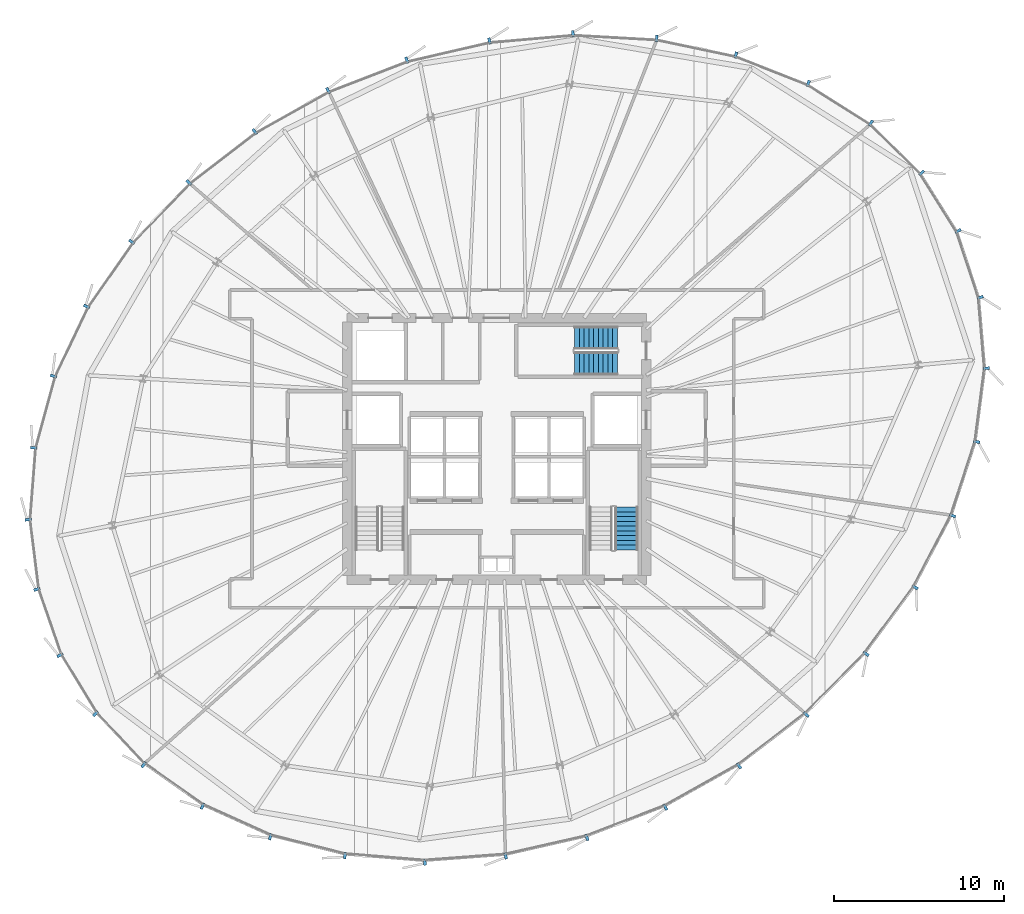
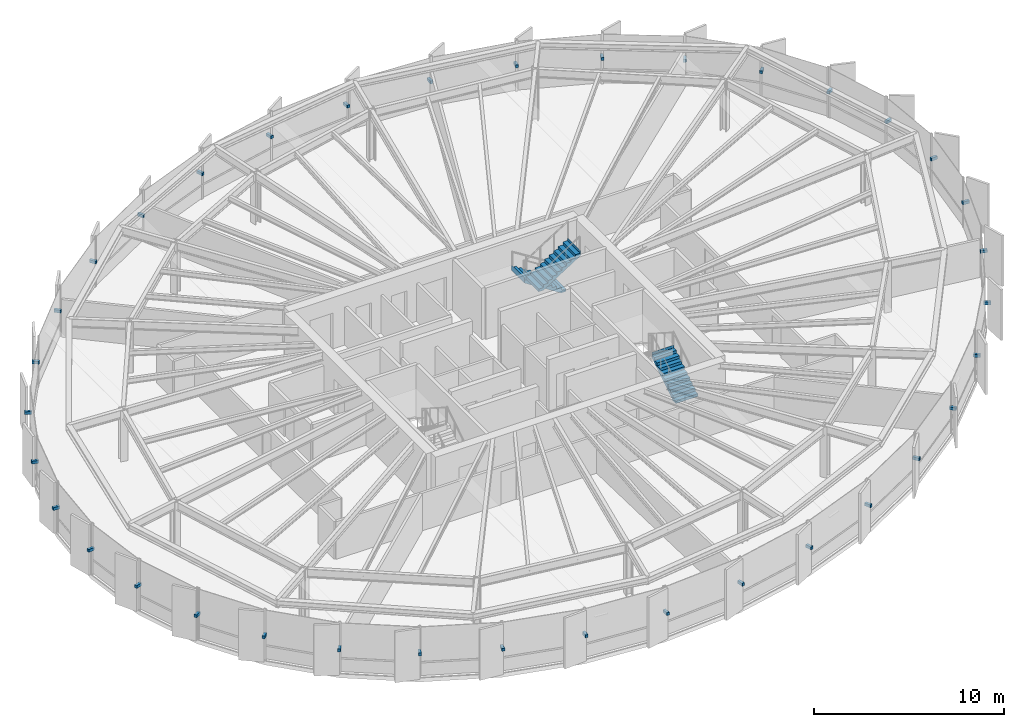
# One storey, part 31 of 35: 36 discrete accessories, 3 stair flights, 2 elements without a shape of their own.
"""IFC4 building model written with IfcOpenShell, lengths in metres."""

from ifc_helpers import new_model, si_unit, direction, frame, origin, origin_2d, place, context, subcontext, project, spatial, polyline, rectangle, outline, extrude, source, transform, mapped, material, type_object, element, aggregate, save


model = new_model("IFC4")

# Units and contexts
model_context = context("Model", 3, precision=1e-05, world=origin(), true_north=direction((0.0, 1.0)))
body_context = subcontext(model_context, "Body", "Model", "MODEL_VIEW")
ifc_project = project(units=[si_unit("LENGTHUNIT", "METRE"), si_unit("AREAUNIT", "SQUARE_METRE"), si_unit("VOLUMEUNIT", "CUBIC_METRE"), si_unit("PLANEANGLEUNIT", "RADIAN"), si_unit("MASSUNIT", "GRAM", prefix="KILO"), si_unit("THERMODYNAMICTEMPERATUREUNIT", "KELVIN")], contexts=[model_context])

# Site, building, storey
site_placement = place(None, origin())
site = spatial("IfcSite", under=ifc_project, at=site_placement, CompositionType="ELEMENT")
building_placement = place(site_placement, origin())
building = spatial("IfcBuilding", under=site, at=building_placement, Name="Kethvar Cultural Tower", CompositionType="ELEMENT")
storey_placement = place(building_placement, frame((0.0, 0.0, 135.89990234375)))
storey = spatial("IfcBuildingStorey", under=building, at=storey_placement, Name="L34", CompositionType="ELEMENT", Elevation=135.89990234375)

# Stair, stair flight
ifc_material_1 = material(Name="Concrete C40/50", Category="concrete")
stair_type = type_object("IfcStairType", Name="ST-DOGLEG-135", PredefinedType="HALF_TURN_STAIR", material=ifc_material_1)
stair_1_placement = place(storey_placement, origin())
stair_1 = element("IfcStair", 1, at=stair_1_placement, inside=storey, type_object=stair_type, Name="L34 Core Exit Stair 2", PredefinedType="HALF_TURN_STAIR")
stair_flight_type = type_object("IfcStairFlightType", Name="FL-STRAIGHT-135", PredefinedType="STRAIGHT", material=ifc_material_1)
stair_flight_1_placement = place(storey_placement, frame((54.43505859375, 21.85009765625, 0.0), z_axis=(0.0, 0.0, 1.0), x_axis=(0.0, 1.0, 0.0)))
stair_flight_1 = element("IfcStairFlight", 2, at=stair_flight_1_placement, type_object=stair_flight_type, Name="ST-02 flight 1", NumberOfRisers=10, NumberOfTreads=9, PredefinedType="STRAIGHT", RiserHeight=0.1775, TreadLength=0.28, context=body_context, shape_type="SweptSolid", body=[
    extrude(outline(polyline([(-0.0009765625, -0.0009765625), (-0.0009765625, 0.177490234375), (0.280029296875, 0.177490234375), (0.280029296875, 0.35498046875), (0.56005859375, 0.35498046875), (0.56005859375, 0.532470703125), (0.840087890625, 0.532470703125), (0.840087890625, 0.7099609375), (1.1201171875, 0.7099609375), (1.1201171875, 0.887451171875), (1.39990234375, 0.887451171875), (1.39990234375, 1.06494140625), (1.679931640625, 1.06494140625), (1.679931640625, 1.242431640625), (1.9599609375, 1.242431640625), (1.9599609375, 1.419921875), (2.239990234375, 1.419921875), (2.239990234375, 1.597412109375), (2.52001953125, 1.597412109375), (2.52001953125, 1.77490234375), (2.52099609375, 1.77490234375), (2.52099609375, 1.419921875), (0.280029296875, 0.0), (0.0, -0.0009765625), (-0.0009765625, -0.0009765625)])), frame((0.0, 0.675048828125, 0.0), z_axis=(0.0, -1.0, 0.0), x_axis=(1.0, 0.0, 0.0)), (0.0, 0.0, 1.0), 1.35009765625),
])
aggregate(stair_1, [stair_flight_1])

# Stair, stair flights
stair_2_placement = place(storey_placement, origin())
stair_2 = element("IfcStair", 3, at=stair_2_placement, inside=storey, type_object=stair_type, Name="L34 Core Exit Stair 3", PredefinedType="HALF_TURN_STAIR")
stair_flight_2_placement = place(storey_placement, frame((53.89990234375, 34.3349609375, 0.0), z_axis=(0.0, 0.0, 1.0), x_axis=(-1.0, 0.0, 0.0)))
stair_flight_2 = element("IfcStairFlight", 4, at=stair_flight_2_placement, type_object=stair_flight_type, Name="ST-03 flight 1", NumberOfRisers=10, NumberOfTreads=9, PredefinedType="STRAIGHT", RiserHeight=0.1775, TreadLength=0.28, context=body_context, shape_type="SweptSolid", body=[
    extrude(outline(polyline([(-0.0009765625, -0.0009765625), (-0.0009765625, 0.177490234375), (0.280029296875, 0.177490234375), (0.280029296875, 0.35498046875), (0.56005859375, 0.35498046875), (0.56005859375, 0.532470703125), (0.840087890625, 0.532470703125), (0.840087890625, 0.7099609375), (1.1201171875, 0.7099609375), (1.1201171875, 0.887451171875), (1.39990234375, 0.887451171875), (1.39990234375, 1.06494140625), (1.679931640625, 1.06494140625), (1.679931640625, 1.242431640625), (1.9599609375, 1.242431640625), (1.9599609375, 1.419921875), (2.239990234375, 1.419921875), (2.239990234375, 1.597412109375), (2.52001953125, 1.597412109375), (2.52001953125, 1.77490234375), (2.52099609375, 1.77490234375), (2.52099609375, 1.419921875), (0.280029296875, 0.0), (0.0, -0.0009765625), (-0.0009765625, -0.0009765625)])), frame((0.0, 0.675048828125, 0.0), z_axis=(0.0, -1.0, 0.0), x_axis=(1.0, 0.0, 0.0)), (0.0, 0.0, 1.0), 1.35009765625),
])
stair_flight_3_placement = place(storey_placement, frame((51.3798828125, 32.824951171875, 1.775146484375), z_axis=(0.0, 0.0, 1.0), x_axis=(1.0, 0.0, 0.0)))
stair_flight_3 = element("IfcStairFlight", 5, at=stair_flight_3_placement, type_object=stair_flight_type, Name="ST-03 flight 2", NumberOfRisers=10, NumberOfTreads=9, PredefinedType="STRAIGHT", RiserHeight=0.1775, TreadLength=0.28, context=body_context, shape_type="SweptSolid", body=[
    extrude(outline(polyline([(-0.0009765625, -0.0009765625), (-0.0009765625, 0.177490234375), (0.280029296875, 0.177490234375), (0.280029296875, 0.35498046875), (0.56005859375, 0.35498046875), (0.56005859375, 0.532470703125), (0.840087890625, 0.532470703125), (0.840087890625, 0.7099609375), (1.1201171875, 0.7099609375), (1.1201171875, 0.887451171875), (1.39990234375, 0.887451171875), (1.39990234375, 1.06494140625), (1.679931640625, 1.06494140625), (1.679931640625, 1.242431640625), (1.9599609375, 1.242431640625), (1.9599609375, 1.419921875), (2.239990234375, 1.419921875), (2.239990234375, 1.597412109375), (2.52001953125, 1.597412109375), (2.52001953125, 1.77490234375), (2.52099609375, 1.77490234375), (2.52099609375, 1.419921875), (0.280029296875, 0.0), (0.0, -0.0009765625), (-0.0009765625, -0.0009765625)])), frame((0.0, 0.675048828125, 0.0), z_axis=(0.0, -1.0, 0.0), x_axis=(1.0, 0.0, 0.0)), (0.0, 0.0, 1.0), 1.35009765625),
])
aggregate(stair_2, [stair_flight_2, stair_flight_3])

# Discrete accessories
ifc_material_2 = material(Name="Steel S355J2", Category="steel")
discrete_accessory_type = type_object("IfcDiscreteAccessoryType", Name="Steel Fin Bracket BRK-01", PredefinedType="BRACKET", material=ifc_material_2)
shared_shape = source(origin(), body_context, "Body", "SweptSolid", [
    extrude(rectangle(XDim=0.3798828125, YDim=0.159912109375, at=origin_2d()), origin(), (0.0, 0.0, 1.0), 0.179931640625),
])
for number, where, z_axis, x_axis, name in (
    (6, (73.94921875, 40.619384765625, 1.56005859375), (0.0, 0.0, 1.0), (0.846843565628, 0.531842058656, 0.0), "L34 Terracotta Fin Bracket 1.1"),
    (7, (71.801025390625, 44.039306640625, 1.56005859375), (0.0, 0.0, 1.0), (0.700660250228, 0.713495069184, 0.0), "L34 Terracotta Fin Bracket 1.2"),
    (8, (68.81494140625, 46.971435546875, 1.56005859375), (0.0, 0.0, 1.0), (0.534057264801, 0.845448305879, 0.0), "L34 Terracotta Fin Bracket 1.3"),
    (9, (65.123291015625, 49.303466796875, 1.56005859375), (0.0, 0.0, 1.0), (0.366338832643, 0.930481520342, 0.0), "L34 Terracotta Fin Bracket 1.4"),
    (10, (60.86767578125, 50.978515625, 1.56005859375), (0.0, 0.0, 1.0), (0.206545736898, 0.97843694665, 0.0), "L34 Terracotta Fin Bracket 1.5"),
    (11, (56.2099609375, 51.961181640625, 1.56005859375), (0.0, 0.0, 1.0), (0.055995764929, 0.998431006284, 0.0), "L34 Terracotta Fin Bracket 1.6"),
    (12, (51.28271484375, 52.232421875, 1.56005859375), (0.0, 0.0, 1.0), (-0.086981872646, 0.996209894465, 0.0), "L34 Terracotta Fin Bracket 2.1"),
    (13, (46.370361328125, 51.802978515625, 1.56005859375), (0.0, 0.0, 1.0), (-0.225461202458, 0.974252147129, 0.0), "L34 Terracotta Fin Bracket 2.2"),
    (14, (41.51123046875, 50.67822265625, 1.56005859375), (0.0, 0.0, 1.0), (-0.360159633746, 0.93289068932, 0.0), "L34 Terracotta Fin Bracket 2.3"),
    (15, (36.875732421875, 48.88818359375, 1.56005859375), (0.0, 0.0, 1.0), (-0.489382451749, 0.872069272432, 0.0), "L34 Terracotta Fin Bracket 2.4"),
    (16, (32.560302734375, 46.466064453125, 1.56005859375), (0.0, 0.0, 1.0), (-0.61000687398, 0.792396121708, 0.0), "L34 Terracotta Fin Bracket 2.5"),
    (17, (28.677001953125, 43.476806640625, 1.56005859375), (0.0, 0.0, 1.0), (-0.720793110676, 0.69315026625, 0.0), "L34 Terracotta Fin Bracket 2.6"),
    (18, (25.322265625, 39.97900390625, 1.56005859375), (0.0, 0.0, 1.0), (-0.819752242868, 0.572718307995, 0.0), "L34 Terracotta Fin Bracket 3.1"),
    (19, (22.663818359375, 36.17431640625, 1.56005859375), (0.0, 0.0, 1.0), (-0.902885617815, 0.429880868547, 0.0), "L34 Terracotta Fin Bracket 3.2"),
    (20, (20.716552734375, 32.083251953125, 1.56005859375), (0.0, 0.0, 1.0), (-0.964557418458, 0.263873049965, 0.0), "L34 Terracotta Fin Bracket 3.3"),
    (21, (19.561767578125, 27.86181640625, 1.56005859375), (0.0, 0.0, 1.0), (-0.997012445566, 0.077241073187, 0.0), "L34 Terracotta Fin Bracket 3.4"),
    (22, (19.234375, 23.63818359375, 1.56005859375), (0.0, 0.0, 1.0), (-0.992331937885, -0.12360147674, 0.0), "L34 Terracotta Fin Bracket 3.5"),
    (23, (19.744873046875, 19.541015625, 1.56005859375), (0.0, 0.0, 1.0), (-0.944891787468, -0.327382818692, 0.0), "L34 Terracotta Fin Bracket 3.6"),
    (24, (21.097900390625, 15.66162109375, 1.56005859375), (0.0, 0.0, 1.0), (-0.854549490308, -0.519369972768, 0.0), "L34 Terracotta Fin Bracket 4.1"),
    (25, (23.192138671875, 12.216552734375, 1.56005859375), (0.0, 0.0, 1.0), (-0.727772757657, -0.685818352927, 0.0), "L34 Terracotta Fin Bracket 4.2"),
    (26, (26.023681640625, 9.2119140625, 1.56005859375), (0.0, 0.0, 1.0), (-0.576004381105, -0.817446605564, 0.0), "L34 Terracotta Fin Bracket 4.3"),
    (27, (29.48681640625, 6.772216796875, 1.56005859375), (0.0, 0.0, 1.0), (-0.411514358605, -0.911403276635, 0.0), "L34 Terracotta Fin Bracket 4.4"),
    (28, (33.4755859375, 4.971435546875, 1.56005859375), (0.0, 0.0, 1.0), (-0.244292050763, -0.969701703584, 0.0), "L34 Terracotta Fin Bracket 4.5"),
    (29, (37.869384765625, 3.864501953125, 1.56005859375), (0.0, 0.0, 1.0), (-0.081242704565, -0.996694347809, 0.0), "L34 Terracotta Fin Bracket 4.6"),
    (30, (42.572998046875, 3.487548828125, 1.56005859375), (0.0, 0.0, 1.0), (0.074630638989, -0.997211245286, 0.0), "L34 Terracotta Fin Bracket 5.1"),
    (31, (47.32861328125, 3.843505859375, 1.56005859375), (0.0, 0.0, 1.0), (0.221718689914, -0.975110671946, 0.0), "L34 Terracotta Fin Bracket 5.2"),
    (32, (52.10693359375, 4.93017578125, 1.56005859375), (0.0, 0.0, 1.0), (0.35999680812, -0.932953534825, 0.0), "L34 Terracotta Fin Bracket 5.3"),
    (33, (56.72412109375, 6.711669921875, 1.56005859375), (0.0, 0.0, 1.0), (0.489230239495, -0.8721546725, 0.0), "L34 Terracotta Fin Bracket 5.4"),
    (34, (61.057861328125, 9.142333984375, 1.56005859375), (0.0, 0.0, 1.0), (0.606959801962, -0.79473253287, 0.0), "L34 Terracotta Fin Bracket 5.5"),
    (35, (65.02197265625, 12.169921875, 1.56005859375), (0.0, 0.0, 1.0), (0.712148583972, -0.702028770313, 0.0), "L34 Terracotta Fin Bracket 5.6"),
    (36, (68.534423828125, 15.740478515625, 1.56005859375), (0.0, 0.0, 1.0), (0.805100890583, -0.593137889518, 0.0), "L34 Terracotta Fin Bracket 6.1"),
    (37, (71.41552734375, 19.65087890625, 1.56005859375), (0.0, 0.0, 1.0), (0.885555832294, -0.464532956732, 0.0), "L34 Terracotta Fin Bracket 6.2"),
    (38, (73.627197265625, 23.8662109375, 1.56005859375), (0.0, 0.0, 1.0), (0.950461493885, -0.310842321189, 0.0), "L34 Terracotta Fin Bracket 6.3"),
    (39, (75.048828125, 28.21337890625, 1.56005859375), (0.0, 0.0, 1.0), (0.991850028246, -0.12741083733, 0.0), "L34 Terracotta Fin Bracket 6.4"),
    (40, (75.60498046875, 32.544677734375, 1.56005859375), (0.0, 0.0, 1.0), (0.99637505162, 0.085069127822, 0.0), "L34 Terracotta Fin Bracket 6.5"),
    (41, (75.24853515625, 36.714599609375, 1.56005859375), (0.0, 0.0, 1.0), (0.949589753555, 0.313495294931, 0.0), "L34 Terracotta Fin Bracket 6.6"),
):
    element("IfcDiscreteAccessory", number, at=place(storey_placement, frame(where, z_axis=z_axis, x_axis=x_axis)), inside=storey, type_object=discrete_accessory_type, Name=name, PredefinedType="BRACKET", context=body_context, shape_type="MappedRepresentation", body=[
        mapped(shared_shape, transform((0.0, 0.0, 0.0), scale=1.0)),
    ])

save(model, "model.ifc")
